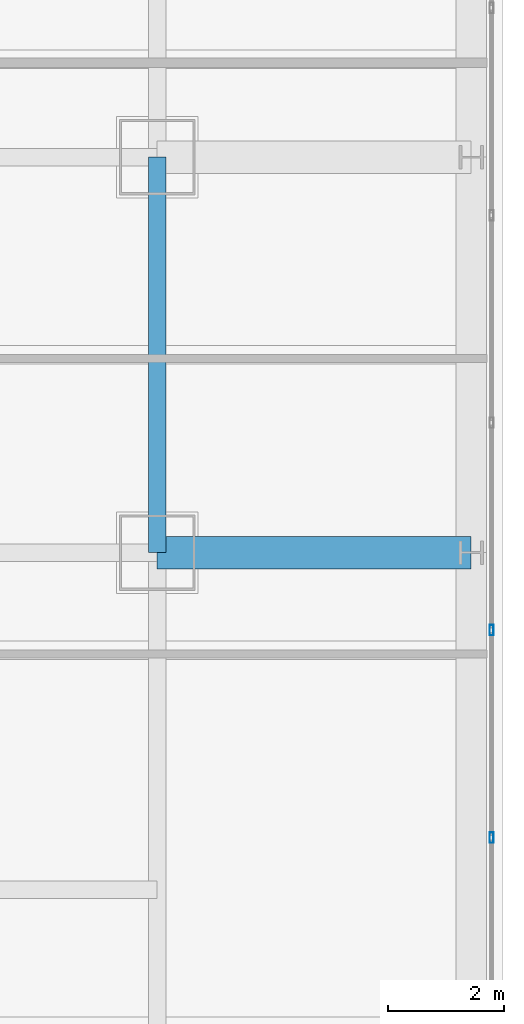
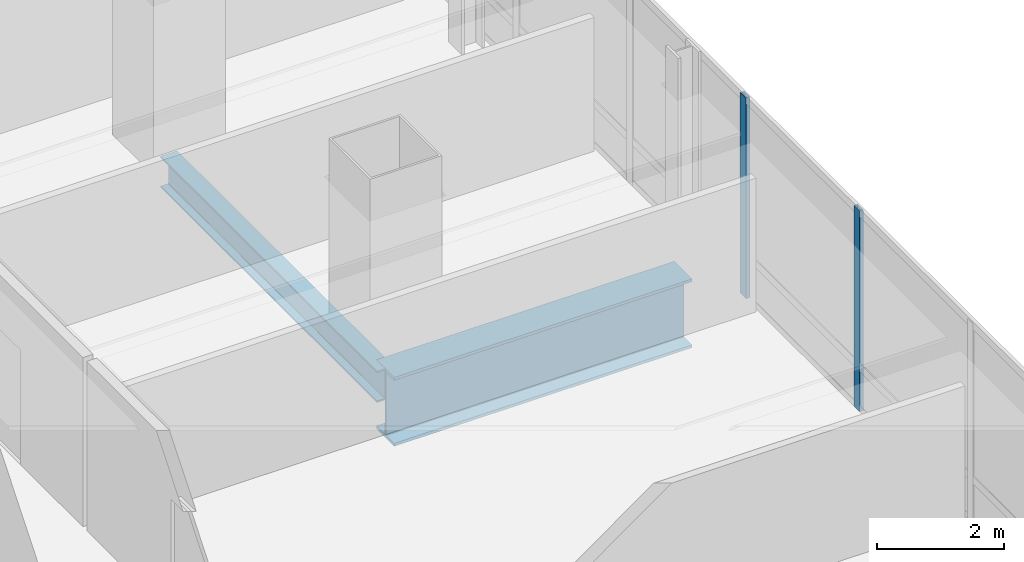
# One storey, part 17 of 39: 2 beams, 2 members, 1 element without a shape of its own.
"""IFC4 building model written with IfcOpenShell, lengths in metres."""

from ifc_helpers import new_model, si_unit, direction, frame, origin, origin_2d, place, context, subcontext, project, spatial, hollow_rectangle, i_section, extrude, material, material_profile, profile_set, type_object, element, aggregate, save


model = new_model("IFC4")

# Units and contexts
model_context = context("Model", 3, precision=1e-05, world=origin(), true_north=direction((0.0, 1.0)))
body_context = subcontext(model_context, "Body", "Model", "MODEL_VIEW")
ifc_project = project(units=[si_unit("LENGTHUNIT", "METRE"), si_unit("AREAUNIT", "SQUARE_METRE"), si_unit("VOLUMEUNIT", "CUBIC_METRE"), si_unit("PLANEANGLEUNIT", "RADIAN"), si_unit("MASSUNIT", "GRAM", prefix="KILO")], contexts=[model_context])

# Site, building, storey
site_placement = place(None, origin())
site = spatial("IfcSite", under=ifc_project, at=site_placement, CompositionType="ELEMENT")
building_placement = place(site_placement, origin())
building = spatial("IfcBuilding", under=site, at=building_placement, Name="Punatoya Terracotta Tower", CompositionType="ELEMENT")
storey_placement = place(building_placement, frame((0.0, 0.0, 275.699951171875)))
storey = spatial("IfcBuildingStorey", under=building, at=storey_placement, Name="L65", CompositionType="ELEMENT", Elevation=275.699951171875)

# Beams
ifc_material_1 = material(Name="Steel S355", Category="steel")
ifc_material_profile_1 = material_profile(ifc_material_1, i_section(OverallWidth=0.300048828125, OverallDepth=0.60009765625, WebThickness=0.015380859375, FlangeThickness=0.030029296875, FilletRadius=0.01806640625, at=origin_2d()))
ifc_profile_set_1 = profile_set([ifc_material_profile_1], Name="Steel S355")
beam_type_1 = type_object("IfcBeamType", Name="BM-PRI-600", PredefinedType="BEAM", material=ifc_profile_set_1)
beam_1_placement = place(storey_placement, frame((19.10009765625, -3.39990234375, -0.5), z_axis=(0.0, 1.0, 0.0), x_axis=(-1.0, 0.0, 0.0)))
element("IfcBeam", 1, at=beam_1_placement, inside=storey, type_object=beam_type_1, Name="BM-L65-RG-E2", PredefinedType="BEAM", context=body_context, shape_type="SweptSolid", body=[
    extrude(i_section(OverallWidth=0.300048828125, OverallDepth=0.60009765625, WebThickness=0.015380859375, FlangeThickness=0.030029296875, FilletRadius=0.01806640625, at=origin_2d()), origin(), (0.0, 0.0, 1.0), 6.7998046875),
])
ifc_material_2 = material(Name="Steel S460", Category="steel")
ifc_material_profile_2 = material_profile(ifc_material_2, i_section(OverallWidth=0.56005859375, OverallDepth=1.320068359375, WebThickness=0.035888671875, FlangeThickness=0.054931640625, FilletRadius=0.01806640625, at=origin_2d()))
ifc_profile_set_2 = profile_set([ifc_material_profile_2], Name="Steel S460")
beam_type_2 = type_object("IfcBeamType", Name="BM-TG-BLK", PredefinedType="BEAM", material=ifc_profile_set_2)
beam_2_placement = place(storey_placement, frame((19.10009765625, -3.39990234375, -0.85986328125), z_axis=(1.0, 0.0, 0.0), x_axis=(0.0, 1.0, 0.0)))
element("IfcBeam", 2, at=beam_2_placement, inside=storey, type_object=beam_type_2, Name="BM-L65-CANT-E2", PredefinedType="BEAM", context=body_context, shape_type="SweptSolid", body=[
    extrude(i_section(OverallWidth=0.56005859375, OverallDepth=1.320068359375, WebThickness=0.035888671875, FlangeThickness=0.054931640625, FilletRadius=0.01806640625, at=origin_2d()), origin(), (0.0, 0.0, 1.0), 5.39990234375),
])

# Curtain wall, members
ifc_material_3 = material(Name="Aluminium 6063-T6 + Double Low-E Glass", Category="aluminium")
curtain_wall_type = type_object("IfcCurtainWallType", Name="CW-M3", PredefinedType="NOTDEFINED", material=ifc_material_3)
curtain_wall_placement = place(storey_placement, origin())
curtain_wall = element("IfcCurtainWall", 3, at=curtain_wall_placement, inside=storey, type_object=curtain_wall_type, Name="L65 Curtain Wall CW-L65-E05-1", PredefinedType="NOTDEFINED")
ifc_material_4 = material(Name="Aluminium 6063-T6", Category="aluminium")
ifc_material_profile_3 = material_profile(ifc_material_4, hollow_rectangle(XDim=0.070068359375, YDim=0.179931640625, WallThickness=0.00390625, at=origin_2d()))
ifc_profile_set_3 = profile_set([ifc_material_profile_3], Name="Aluminium 6063-T6")
member_type = type_object("IfcMemberType", Name="CW-MUL-M3", PredefinedType="MULLION", material=ifc_profile_set_3)
member_1_placement = place(storey_placement, frame((24.85009765625, -8.302001953125, 0.0), z_axis=(0.0, 0.0, 1.0), x_axis=(1.0, 0.0, 0.0)))
member_1 = element("IfcMember", 4, at=member_1_placement, type_object=member_type, Name="CW-L65-E05-1 Mullion 02", PredefinedType="MULLION", context=body_context, shape_type="SweptSolid", body=[
    extrude(hollow_rectangle(XDim=0.070068359375, YDim=0.179931640625, WallThickness=0.00390625, at=origin_2d()), origin(), (0.0, 0.0, 1.0), 3.85009765625),
])
member_2_placement = place(storey_placement, frame((24.85009765625, -4.73486328125, 0.0), z_axis=(0.0, 0.0, 1.0), x_axis=(1.0, 0.0, 0.0)))
member_2 = element("IfcMember", 5, at=member_2_placement, type_object=member_type, Name="CW-L65-E05-1 Mullion 03", PredefinedType="MULLION", context=body_context, shape_type="SweptSolid", body=[
    extrude(hollow_rectangle(XDim=0.070068359375, YDim=0.179931640625, WallThickness=0.00390625, at=origin_2d()), origin(), (0.0, 0.0, 1.0), 3.85009765625),
])
aggregate(curtain_wall, [member_1, member_2])

save(model, "model.ifc")
